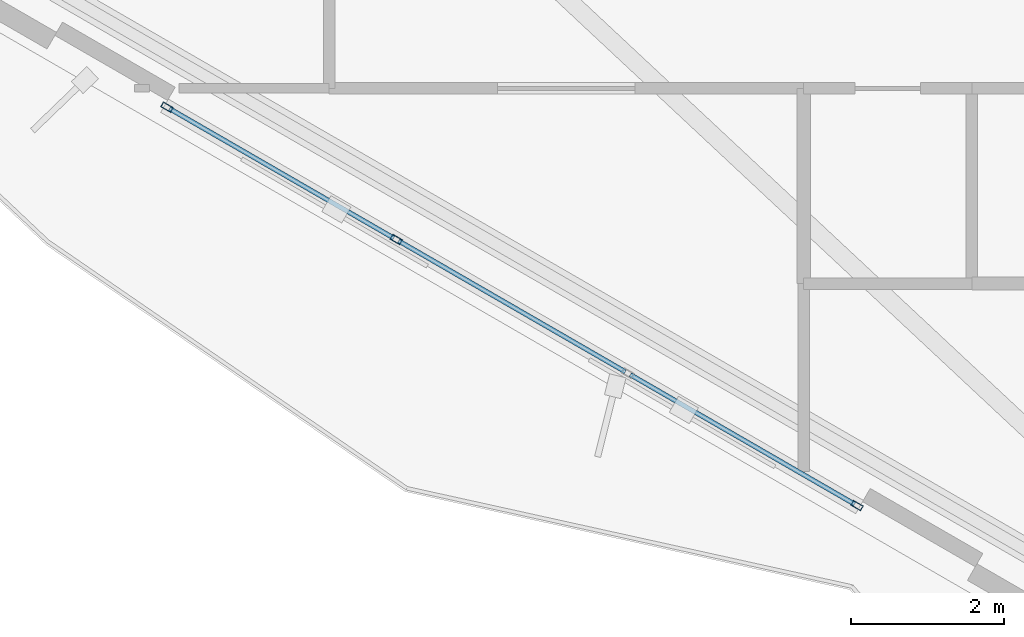
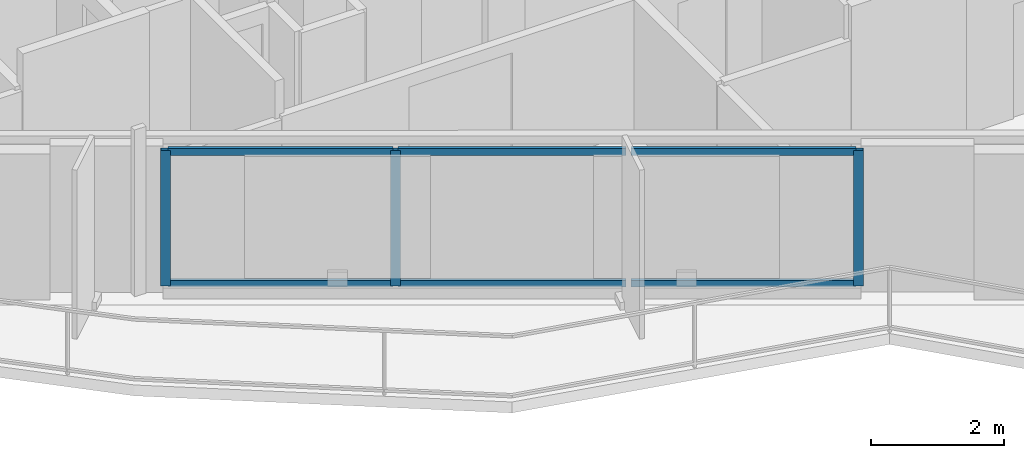
# One storey, part 2 of 19: 9 members, 1 element without a shape of its own.
"""IFC4 building model written with IfcOpenShell, lengths in metres."""

from ifc_helpers import new_model, si_unit, direction, frame, origin, origin_2d, place, context, subcontext, project, spatial, hollow_rectangle, extrude, material, layer, layer_set, material_profile, profile_set, type_object, element, aggregate, save


model = new_model("IFC4")

# Units and contexts
model_context = context("Model", 3, precision=1e-05, world=origin(), true_north=direction((0.0, 1.0)))
body_context = subcontext(model_context, "Body", "Model", "MODEL_VIEW")
ifc_project = project(units=[si_unit("LENGTHUNIT", "METRE"), si_unit("AREAUNIT", "SQUARE_METRE"), si_unit("VOLUMEUNIT", "CUBIC_METRE"), si_unit("PLANEANGLEUNIT", "RADIAN"), si_unit("MASSUNIT", "GRAM", prefix="KILO")], contexts=[model_context])

# Site, building, storey
site_placement = place(None, origin())
site = spatial("IfcSite", under=ifc_project, at=site_placement, CompositionType="ELEMENT")
building_placement = place(site_placement, origin())
building = spatial("IfcBuilding", under=site, at=building_placement, Name="Mersakhor Tower and Convention Hall", CompositionType="ELEMENT")
storey_placement = place(building_placement, frame((0.0, 0.0, 127.800048828125)))
storey = spatial("IfcBuildingStorey", under=building, at=storey_placement, Name="L35", CompositionType="ELEMENT", Elevation=127.800048828125)

# Curtain wall, members
ifc_material_1 = material(Name="Dark solar low-E aluminium curtain wall", Category="aluminium")
ifc_layer = layer(ifc_material_1, 0.169921875)
ifc_layer_set = layer_set([ifc_layer], Name="Dark solar low-E aluminium curtain wall")
curtain_wall_type = type_object("IfcCurtainWallType", Name="CW-SYS-02", PredefinedType="USERDEFINED", material=ifc_layer_set)
curtain_wall_placement = place(storey_placement, origin())
curtain_wall = element("IfcCurtainWall", 1, at=curtain_wall_placement, inside=storey, type_object=curtain_wall_type, Name="L35 Dark-Glass Curtain Wall F3-B2", ObjectType="CURTAIN WALL", PredefinedType="USERDEFINED")
ifc_material_2 = material(Name="Anodised aluminium EN AW-6063 T6", Category="aluminium")
ifc_material_profile_1 = material_profile(ifc_material_2, hollow_rectangle(XDim=0.074951171875, YDim=0.14990234375, WallThickness=0.00634765625, at=origin_2d()), Name="RHS 150x75x6.3")
ifc_profile_set_1 = profile_set([ifc_material_profile_1], Name="Anodised aluminium EN AW-6063 T6")
member_type_1 = type_object("IfcMemberType", Name="CWM-150x75", PredefinedType="MULLION", material=ifc_profile_set_1)
member_1_placement = place(storey_placement, frame((26.8984375, 12.69921875, 0.199951171875), z_axis=(0.0, 0.0, 1.0), x_axis=(-0.499990468363, -0.866030906807, 0.0)))
member_1 = element("IfcMember", 2, at=member_1_placement, type_object=member_type_1, Name="CW-02 mullion 1", PredefinedType="MULLION", context=body_context, shape_type="SweptSolid", body=[
    extrude(hollow_rectangle(XDim=0.074951171875, YDim=0.14990234375, WallThickness=0.00634765625, at=origin_2d()), origin(), (0.0, 0.0, 1.0), 2.47998046875),
])
member_2_placement = place(storey_placement, frame((20.876953125, 16.17578125, 0.199951171875), z_axis=(0.0, 0.0, 1.0), x_axis=(-0.499990468363, -0.866030906807, 0.0)))
member_2 = element("IfcMember", 3, at=member_2_placement, type_object=member_type_1, Name="CW-02 mullion 3", PredefinedType="MULLION", context=body_context, shape_type="SweptSolid", body=[
    extrude(hollow_rectangle(XDim=0.074951171875, YDim=0.14990234375, WallThickness=0.00634765625, at=origin_2d()), origin(), (0.0, 0.0, 1.0), 2.47998046875),
])
member_3_placement = place(storey_placement, frame((17.88232421875, 17.904541015625, 0.199951171875), z_axis=(0.0, 0.0, 1.0), x_axis=(-0.499990468363, -0.866030906807, 0.0)))
member_3 = element("IfcMember", 4, at=member_3_placement, type_object=member_type_1, Name="CW-02 mullion 4", PredefinedType="MULLION", context=body_context, shape_type="SweptSolid", body=[
    extrude(hollow_rectangle(XDim=0.074951171875, YDim=0.14990234375, WallThickness=0.00634765625, at=origin_2d()), origin(), (0.0, 0.0, 1.0), 2.47998046875),
])
ifc_material_3 = material(Name="Anodised aluminium EN AW-6063 T6", Category="aluminium")
ifc_material_profile_2 = material_profile(ifc_material_3, hollow_rectangle(XDim=0.06005859375, YDim=0.1201171875, WallThickness=0.0048828125, at=origin_2d()), Name="RHS 120x60x5")
ifc_profile_set_2 = profile_set([ifc_material_profile_2], Name="Anodised aluminium EN AW-6063 T6")
member_type_2 = type_object("IfcMemberType", Name="CWT-120x60", PredefinedType="USERDEFINED", material=ifc_profile_set_2)
member_4_placement = place(storey_placement, frame((26.865966796875, 12.718017578125, 0.22998046875), z_axis=(-0.866044963944, 0.49996611928, 0.0), x_axis=(-0.49996611928, -0.866044963944, 0.0)))
member_4 = element("IfcMember", 5, at=member_4_placement, type_object=member_type_2, Name="CW-02 transom 1.1", ObjectType="TRANSOM", PredefinedType="USERDEFINED", context=body_context, shape_type="SweptSolid", body=[
    extrude(hollow_rectangle(XDim=0.06005859375, YDim=0.1201171875, WallThickness=0.0048828125, at=origin_2d()), origin(), (0.0, 0.0, 1.0), 3.382568359375),
])
member_5_placement = place(storey_placement, frame((26.865966796875, 12.718017578125, 2.64990234375), z_axis=(-0.866044963944, 0.49996611928, 0.0), x_axis=(-0.49996611928, -0.866044963944, 0.0)))
member_5 = element("IfcMember", 6, at=member_5_placement, type_object=member_type_2, Name="CW-02 transom 1.2", ObjectType="TRANSOM", PredefinedType="USERDEFINED", context=body_context, shape_type="SweptSolid", body=[
    extrude(hollow_rectangle(XDim=0.06005859375, YDim=0.1201171875, WallThickness=0.0048828125, at=origin_2d()), origin(), (0.0, 0.0, 1.0), 3.382568359375),
])
member_6_placement = place(storey_placement, frame((23.871337890625, 14.44677734375, 0.22998046875), z_axis=(-0.866007273829, 0.50003140069, 0.0), x_axis=(-0.50003140069, -0.866007273829, 0.0)))
member_6 = element("IfcMember", 7, at=member_6_placement, type_object=member_type_2, Name="CW-02 transom 2.1", ObjectType="TRANSOM", PredefinedType="USERDEFINED", context=body_context, shape_type="SweptSolid", body=[
    extrude(hollow_rectangle(XDim=0.06005859375, YDim=0.1201171875, WallThickness=0.0048828125, at=origin_2d()), origin(), (0.0, 0.0, 1.0), 3.420166015625),
])
member_7_placement = place(storey_placement, frame((23.871337890625, 14.44677734375, 2.64990234375), z_axis=(-0.866007273829, 0.50003140069, 0.0), x_axis=(-0.50003140069, -0.866007273829, 0.0)))
member_7 = element("IfcMember", 8, at=member_7_placement, type_object=member_type_2, Name="CW-02 transom 2.2", ObjectType="TRANSOM", PredefinedType="USERDEFINED", context=body_context, shape_type="SweptSolid", body=[
    extrude(hollow_rectangle(XDim=0.06005859375, YDim=0.1201171875, WallThickness=0.0048828125, at=origin_2d()), origin(), (0.0, 0.0, 1.0), 3.420166015625),
])
member_8_placement = place(storey_placement, frame((20.844482421875, 16.1943359375, 0.22998046875), z_axis=(-0.866031754707, 0.499988999718, 0.0), x_axis=(-0.499988999718, -0.866031754707, 0.0)))
member_8 = element("IfcMember", 9, at=member_8_placement, type_object=member_type_2, Name="CW-02 transom 3.1", ObjectType="TRANSOM", PredefinedType="USERDEFINED", context=body_context, shape_type="SweptSolid", body=[
    extrude(hollow_rectangle(XDim=0.06005859375, YDim=0.1201171875, WallThickness=0.0048828125, at=origin_2d()), origin(), (0.0, 0.0, 1.0), 3.3828125),
])
member_9_placement = place(storey_placement, frame((20.844482421875, 16.1943359375, 2.64990234375), z_axis=(-0.866031754707, 0.499988999718, 0.0), x_axis=(-0.499988999718, -0.866031754707, 0.0)))
member_9 = element("IfcMember", 10, at=member_9_placement, type_object=member_type_2, Name="CW-02 transom 3.2", ObjectType="TRANSOM", PredefinedType="USERDEFINED", context=body_context, shape_type="SweptSolid", body=[
    extrude(hollow_rectangle(XDim=0.06005859375, YDim=0.1201171875, WallThickness=0.0048828125, at=origin_2d()), origin(), (0.0, 0.0, 1.0), 3.3828125),
])
aggregate(curtain_wall, [member_1, member_2, member_3, member_4, member_5, member_6, member_7, member_8, member_9])

save(model, "model.ifc")
